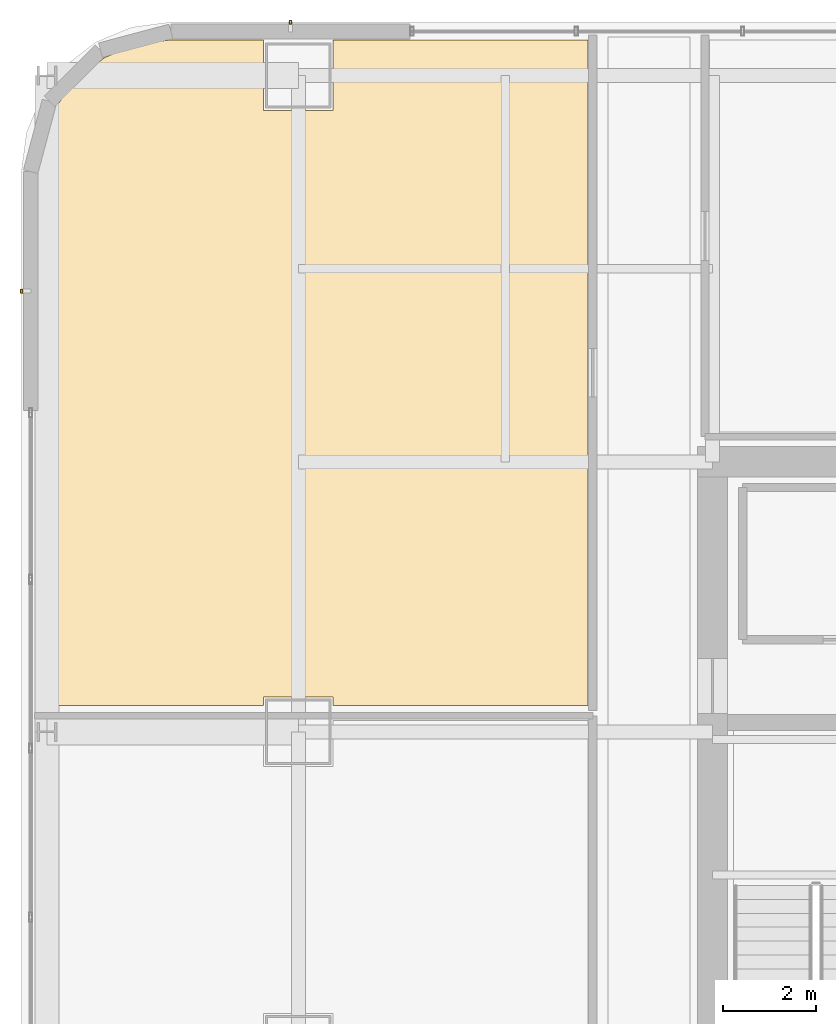
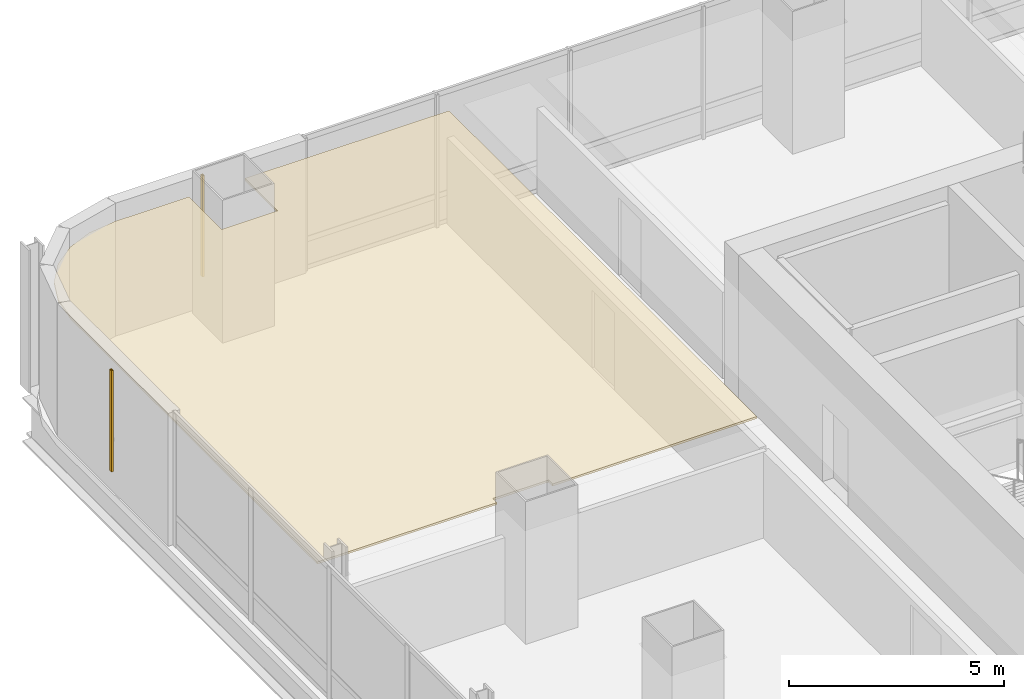
# One storey, part 44 of 46: 2 shading devices, 1 covering.
"""IFC4 building model written with IfcOpenShell, lengths in metres."""

from ifc_helpers import new_model, si_unit, direction, frame, origin, origin_2d, place, context, subcontext, project, spatial, polyline, hollow_rectangle, outline, extrude, material, layer, layer_set, material_profile, profile_set, type_object, element, save


model = new_model("IFC4")

# Units and contexts
model_context = context("Model", 3, precision=1e-05, world=origin(), true_north=direction((0.0, 1.0)))
body_context = subcontext(model_context, "Body", "Model", "MODEL_VIEW")
ifc_project = project(units=[si_unit("LENGTHUNIT", "METRE"), si_unit("AREAUNIT", "SQUARE_METRE"), si_unit("VOLUMEUNIT", "CUBIC_METRE"), si_unit("PLANEANGLEUNIT", "RADIAN"), si_unit("MASSUNIT", "GRAM", prefix="KILO")], contexts=[model_context])

# Site, building, storey
site_placement = place(None, origin())
site = spatial("IfcSite", under=ifc_project, at=site_placement, CompositionType="ELEMENT")
building_placement = place(site_placement, origin())
building = spatial("IfcBuilding", under=site, at=building_placement, Name="Punatoya Terracotta Tower", CompositionType="ELEMENT")
storey_placement = place(building_placement, frame((0.0, 0.0, 200.550048828125)))
storey = spatial("IfcBuildingStorey", under=building, at=storey_placement, Name="L47", CompositionType="ELEMENT", Elevation=200.550048828125)

# Covering
ifc_material_1 = material(Name="Acoustic Mineral Fibre Ceiling")
ifc_layer = layer(ifc_material_1, 0.06005859375)
ifc_layer_set = layer_set([ifc_layer], Name="Acoustic Mineral Fibre Ceiling")
covering_type = type_object("IfcCoveringType", Name="COV-CEIL-60", PredefinedType="CEILING", material=ifc_layer_set)
covering_placement = place(storey_placement, frame((0.0, 0.0, 3.219970703125)))
element("IfcCovering", 1, at=covering_placement, inside=storey, type_object=covering_type, Name="L47 Wellness Rest Room Acoustic Ceiling", PredefinedType="CEILING", context=body_context, shape_type="SweptSolid", body=[
    extrude(outline(polyline([(-19.85009765625, 18.27001953125), (-21.8251953125, 18.27001953125), (-22.5791015625, 18.1708984375), (-23.25830078125, 17.889404296875), (-23.841796875, 17.441650390625), (-24.289306640625, 16.8583984375), (-24.57080078125, 16.178955078125), (-24.669921875, 15.425048828125), (-24.669921875, 3.9599609375), (-19.85009765625, 3.9599609375), (-19.85009765625, 4.14990234375), (-18.35009765625, 4.14990234375), (-18.35009765625, 3.9599609375), (-12.8701171875, 3.9599609375), (-12.8701171875, 18.27001953125), (-18.35009765625, 18.27001953125), (-18.35009765625, 16.75), (-19.85009765625, 16.75), (-19.85009765625, 18.27001953125)])), origin(), (0.0, 0.0, 1.0), 0.06005859375),
])

# Shading devices
ifc_material_2 = material(Name="Architectural Fired Terracotta", Category="masonry")
ifc_material_profile = material_profile(ifc_material_2, hollow_rectangle(XDim=0.06005859375, YDim=0.090087890625, WallThickness=0.013916015625, at=origin_2d()))
ifc_profile_set = profile_set([ifc_material_profile], Name="Architectural Fired Terracotta")
shading_device_type = type_object("IfcShadingDeviceType", Name="SHD-JALI-90", PredefinedType="JALOUSIE", material=ifc_profile_set)
for number, where, z_axis, x_axis, name in (
    (2, (-19.2685546875, 18.64990234375, 0.599853515625), (0.0, 0.0, 1.0), (1.0, 0.0, 0.0), "L47 Braced Bay Terracotta Jali Fin N2"),
    (3, (-25.050048828125, 12.868408203125, 0.599853515625), (0.0, 0.0, 1.0), (1.0, 0.0, 0.0), "L47 Braced Bay Terracotta Jali Fin W1"),
):
    element("IfcShadingDevice", number, at=place(storey_placement, frame(where, z_axis=z_axis, x_axis=x_axis)), inside=storey, type_object=shading_device_type, Name=name, PredefinedType="JALOUSIE", context=body_context, shape_type="SweptSolid", body=[
        extrude(hollow_rectangle(XDim=0.06005859375, YDim=0.090087890625, WallThickness=0.013916015625, at=origin_2d()), origin(), (0.0, 0.0, 1.0), 2.8701171875),
    ])

save(model, "model.ifc")
